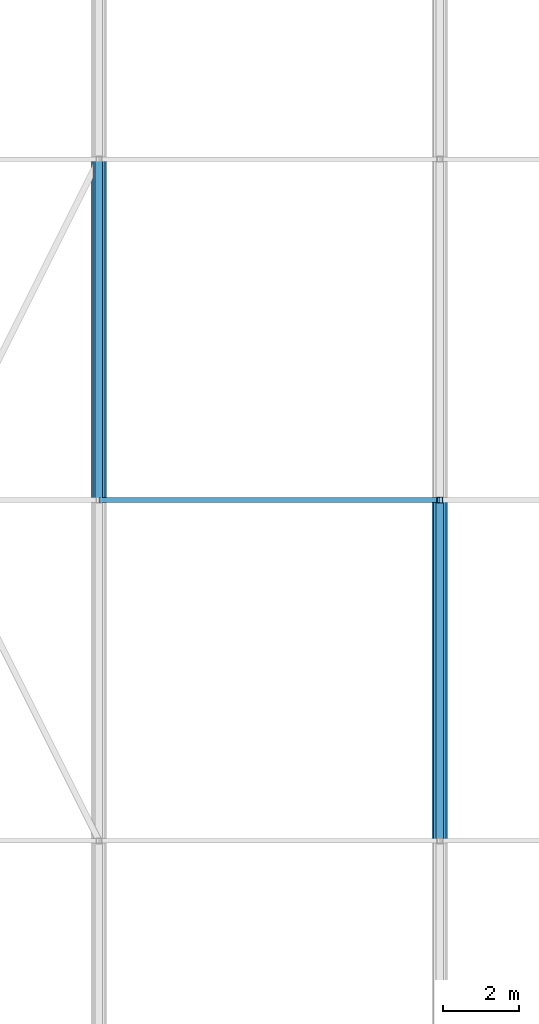
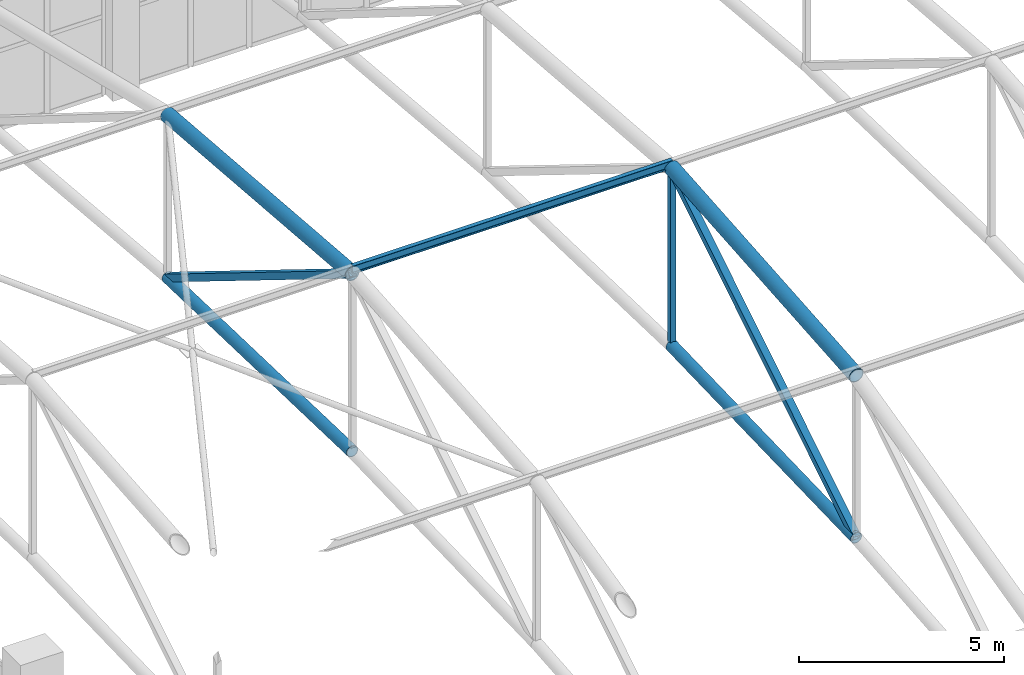
# One storey, part 117 of 223: 8 members.
"""IFC4 building model written with IfcOpenShell, lengths in metres."""

from ifc_helpers import new_model, si_unit, direction, frame, origin, origin_2d, place, context, subcontext, project, spatial, hollow_rectangle, hollow_circle, i_section, extrude, material, material_profile, profile_set, type_object, element, save


model = new_model("IFC4")

# Units and contexts
model_context = context("Model", 3, precision=1e-05, world=origin(), true_north=direction((0.0, 1.0)))
body_context = subcontext(model_context, "Body", "Model", "MODEL_VIEW")
ifc_project = project(units=[si_unit("LENGTHUNIT", "METRE"), si_unit("AREAUNIT", "SQUARE_METRE"), si_unit("VOLUMEUNIT", "CUBIC_METRE"), si_unit("PLANEANGLEUNIT", "RADIAN"), si_unit("MASSUNIT", "GRAM", prefix="KILO")], contexts=[model_context])

# Site, building, storey
site_placement = place(None, origin())
site = spatial("IfcSite", under=ifc_project, at=site_placement, CompositionType="ELEMENT")
building_placement = place(site_placement, origin())
building = spatial("IfcBuilding", under=site, at=building_placement, Name="Dornveld Trade and Exhibition Forum", CompositionType="ELEMENT")
storey_placement = place(building_placement, frame((0.0, 0.0, 6.0)))
storey = spatial("IfcBuildingStorey", under=building, at=storey_placement, Name="L01", CompositionType="ELEMENT", Elevation=6.0)

# Members
ifc_material_1 = material(Name="Steel S355J2", Category="steel")
ifc_material_profile_1 = material_profile(ifc_material_1, hollow_circle(Radius=0.161865234375, WallThickness=0.01611328125, at=origin_2d()), Name="CHS 323.9x16")
ifc_profile_set_1 = profile_set([ifc_material_profile_1], Name="Steel S355J2")
member_type_1 = type_object("IfcMemberType", Name="MEM-ARCH-BC", PredefinedType="CHORD", material=ifc_profile_set_1)
for number, where, z_axis, x_axis, name in (
    (1, (108.0, 135.0, 8.75), (0.0, 0.999561545365, -0.029609407757), (-1.0, 0.0, 0.0), "H1 truss 2 tie chord 4"),
    (2, (117.0, 126.0, 8.4833984375), (0.0, 0.999561545365, 0.029609407757), (-1.0, 0.0, 0.0), "H1 truss 3 tie chord 3"),
):
    element("IfcMember", number, at=place(storey_placement, frame(where, z_axis=z_axis, x_axis=x_axis)), inside=storey, type_object=member_type_1, Name=name, PredefinedType="CHORD", context=body_context, shape_type="SweptSolid", body=[
        extrude(hollow_circle(Radius=0.161865234375, WallThickness=0.01611328125, at=origin_2d()), origin(), (0.0, 0.0, 1.0), 9.00390625),
    ])
ifc_material_2 = material(Name="Steel S355J2", Category="steel")
ifc_material_profile_2 = material_profile(ifc_material_2, hollow_rectangle(XDim=0.14990234375, YDim=0.14990234375, WallThickness=0.008056640625, at=origin_2d()), Name="SHS 150x150x8")
ifc_profile_set_2 = profile_set([ifc_material_profile_2], Name="Steel S355J2")
member_type_2 = type_object("IfcMemberType", Name="MEM-ARCH-STR", PredefinedType="STRUT", material=ifc_profile_set_2)
member_1_placement = place(storey_placement, frame((117.0, 135.0, 8.75), z_axis=(0.0, 0.0, 1.0), x_axis=(1.0, 0.0, 0.0)))
element("IfcMember", 3, at=member_1_placement, inside=storey, type_object=member_type_2, Name="H1 truss 3 strut 4", PredefinedType="STRUT", context=body_context, shape_type="SweptSolid", body=[
    extrude(hollow_rectangle(XDim=0.14990234375, YDim=0.14990234375, WallThickness=0.008056640625, at=origin_2d()), origin(), (0.0, 0.0, 1.0), 5.300048828125),
])
ifc_material_3 = material(Name="Steel S355J2", Category="steel")
ifc_material_profile_3 = material_profile(ifc_material_3, hollow_circle(Radius=0.203125, WallThickness=0.02001953125, at=origin_2d()), Name="CHS 406.4x20")
ifc_profile_set_3 = profile_set([ifc_material_profile_3], Name="Steel S355J2")
member_type_3 = type_object("IfcMemberType", Name="MEM-ARCH-TC", PredefinedType="CHORD", material=ifc_profile_set_3)
for number, where, z_axis, x_axis, name in (
    (4, (108.0, 135.0, 14.050048828125), (0.0, 0.996696239312, -0.081219496064), (-1.0, 0.0, 0.0), "H1 truss 2 top chord 4"),
    (5, (117.0, 126.0, 13.316650390625), (0.0, 0.996696239312, 0.081219496064), (-1.0, 0.0, 0.0), "H1 truss 3 top chord 3"),
):
    element("IfcMember", number, at=place(storey_placement, frame(where, z_axis=z_axis, x_axis=x_axis)), inside=storey, type_object=member_type_3, Name=name, PredefinedType="CHORD", context=body_context, shape_type="SweptSolid", body=[
        extrude(hollow_circle(Radius=0.203125, WallThickness=0.02001953125, at=origin_2d()), origin(), (0.0, 0.0, 1.0), 9.02978515625),
    ])
ifc_material_4 = material(Name="Steel S355J2", Category="steel")
ifc_material_profile_4 = material_profile(ifc_material_4, hollow_rectangle(XDim=0.199951171875, YDim=0.199951171875, WallThickness=0.010009765625, at=origin_2d()), Name="SHS 200x200x10")
ifc_profile_set_4 = profile_set([ifc_material_profile_4], Name="Steel S355J2")
member_type_4 = type_object("IfcMemberType", Name="MEM-ARCH-WEB", PredefinedType="BRACE", material=ifc_profile_set_4)
for number, where, z_axis, x_axis, name in (
    (6, (108.0, 144.0, 8.4833984375), (0.0, -0.850467158024, 0.526028148603), (1.0, 0.0, 0.0), "H1 truss 2 web 4"),
    (7, (117.0, 126.0, 8.4833984375), (0.0, 0.850467158024, 0.526028148603), (-1.0, 0.0, 0.0), "H1 truss 3 web 3"),
):
    element("IfcMember", number, at=place(storey_placement, frame(where, z_axis=z_axis, x_axis=x_axis)), inside=storey, type_object=member_type_4, Name=name, PredefinedType="BRACE", context=body_context, shape_type="SweptSolid", body=[
        extrude(hollow_rectangle(XDim=0.199951171875, YDim=0.199951171875, WallThickness=0.010009765625, at=origin_2d()), origin(), (0.0, 0.0, 1.0), 10.58251953125),
    ])
ifc_material_5 = material(Name="Steel S355J2", Category="steel")
ifc_material_profile_5 = material_profile(ifc_material_5, i_section(OverallWidth=0.1201171875, OverallDepth=0.239990234375, WebThickness=0.006103515625, FlangeThickness=0.009765625, FilletRadius=0.014892578125, at=origin_2d()), Name="IPE 240")
ifc_profile_set_5 = profile_set([ifc_material_profile_5], Name="Steel S355J2")
member_type_5 = type_object("IfcMemberType", Name="MEM-PURLIN-240", PredefinedType="PURLIN", material=ifc_profile_set_5)
member_2_placement = place(storey_placement, frame((108.0, 135.0, 14.181884765625), z_axis=(1.0, 0.0, 0.0), x_axis=(0.0, 1.0, 0.0)))
element("IfcMember", 8, at=member_2_placement, inside=storey, type_object=member_type_5, Name="H1 bay 2 roof purlin 4", PredefinedType="PURLIN", context=body_context, shape_type="SweptSolid", body=[
    extrude(i_section(OverallWidth=0.1201171875, OverallDepth=0.239990234375, WebThickness=0.006103515625, FlangeThickness=0.009765625, FilletRadius=0.014892578125, at=origin_2d()), origin(), (0.0, 0.0, 1.0), 9.0),
])

save(model, "model.ifc")
